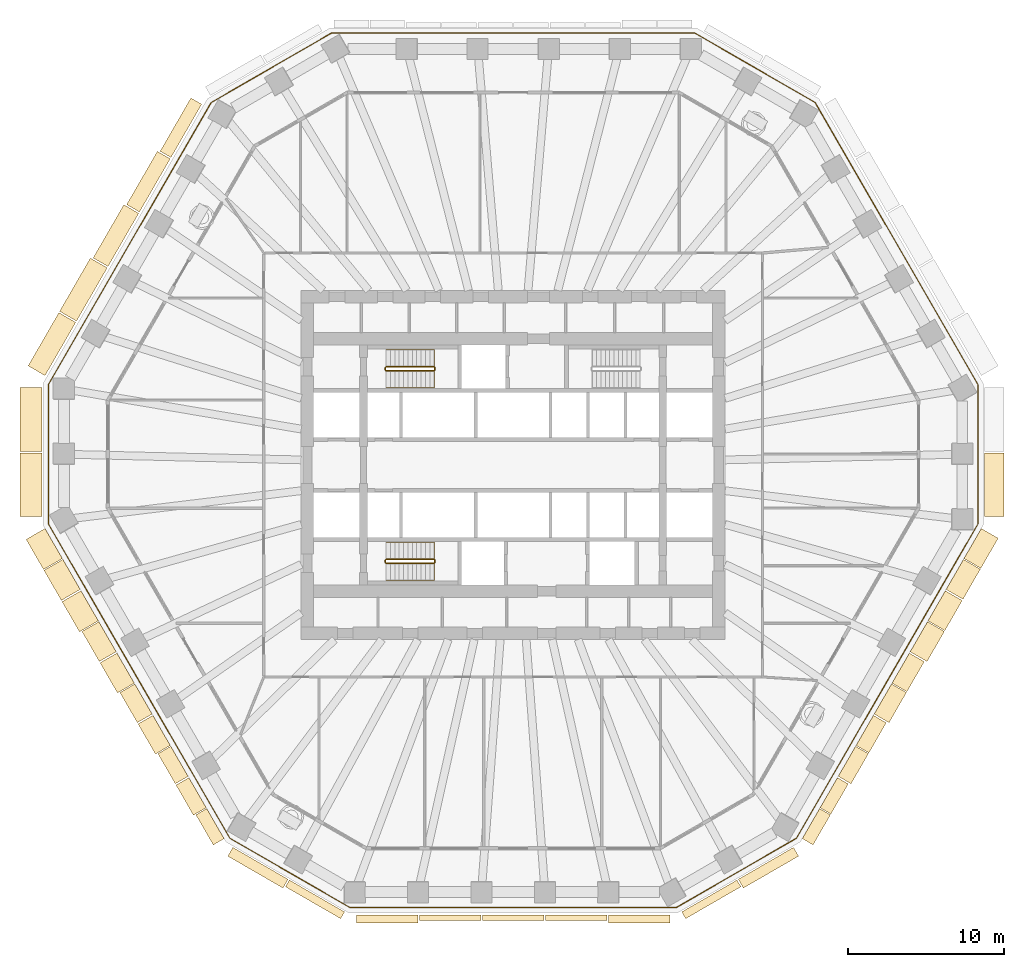
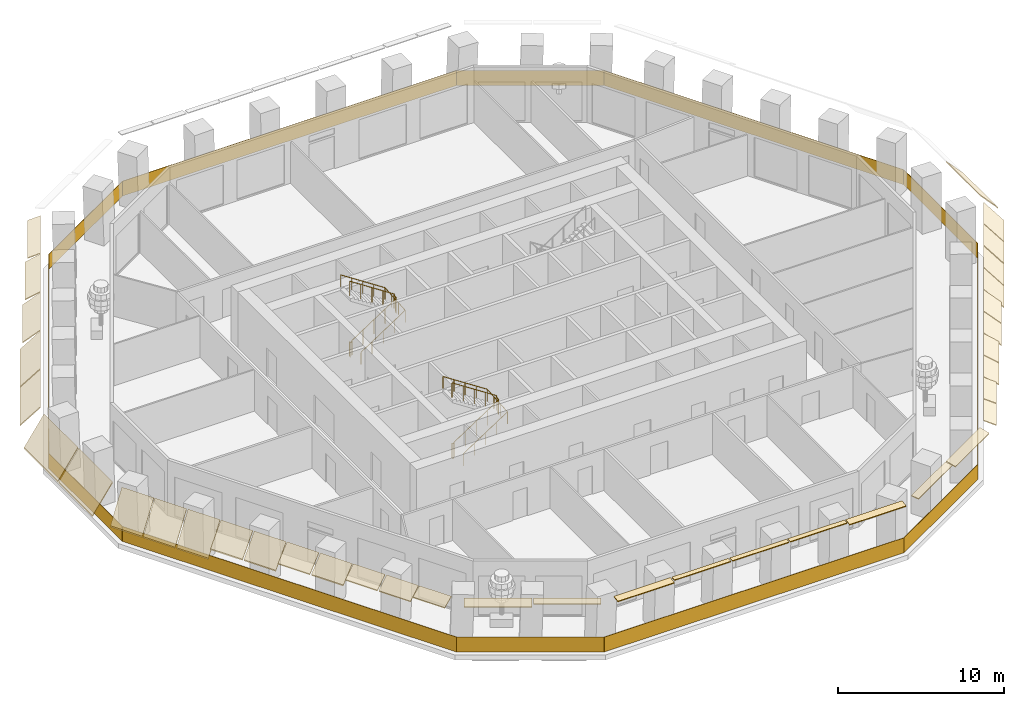
# One storey, part 10 of 13: 37 coverings, 5 railings.
"""IFC4 building model written with IfcOpenShell, lengths in metres."""

from ifc_helpers import new_model, si_unit, direction, frame, origin, origin_2d, place, context, subcontext, project, spatial, polyline, rectangle, circle, outline, extrude, material, layer, layer_set, type_object, element, save


model = new_model("IFC4")

# Units and contexts
model_context = context("Model", 3, precision=1e-05, world=origin(), true_north=direction((0.0, 1.0)))
body_context = subcontext(model_context, "Body", "Model", "MODEL_VIEW")
ifc_project = project(units=[si_unit("LENGTHUNIT", "METRE"), si_unit("AREAUNIT", "SQUARE_METRE"), si_unit("VOLUMEUNIT", "CUBIC_METRE"), si_unit("PLANEANGLEUNIT", "RADIAN"), si_unit("MASSUNIT", "GRAM", prefix="KILO")], contexts=[model_context])

# Site, building, storey
site_placement = place(None, origin())
site = spatial("IfcSite", under=ifc_project, at=site_placement, CompositionType="ELEMENT")
building_placement = place(site_placement, origin())
building = spatial("IfcBuilding", under=site, at=building_placement, Name="Frailejon Research Tower", CompositionType="ELEMENT")
storey_placement = place(building_placement, frame((0.0, 0.0, 102.800048828125)))
storey = spatial("IfcBuildingStorey", under=building, at=storey_placement, Name="L22", CompositionType="ELEMENT", Elevation=102.800048828125)

# Coverings
ifc_material_1 = material(Name="Precast concrete C50/60", Category="concrete")
ifc_layer_1 = layer(ifc_material_1, 0.06005859375)
ifc_layer_set_1 = layer_set([ifc_layer_1], Name="Brim blade depth 1100")
covering_type_1 = type_object("IfcCoveringType", Name="Brim blade depth 1100", PredefinedType="CLADDING", material=ifc_layer_set_1)
covering_1_placement = place(storey_placement, frame((-25.99560546875, 12.733642578125, 4.25), z_axis=(0.500009543026, 0.866019894046, 0.0), x_axis=(-0.866019894046, 0.500009543026, 0.0)))
element("IfcCovering", 1, at=covering_1_placement, inside=storey, type_object=covering_type_1, Name="Brim blade L22", PredefinedType="CLADDING", context=body_context, shape_type="SweptSolid", body=[
    extrude(outline(polyline([(0.0, -0.078369140625), (1.10009765625, -1.001220703125), (1.10009765625, -0.923095703125), (0.0, 0.0), (0.0, -0.078369140625)])), origin(), (0.0, 0.0, 1.0), 3.940185546875),
])
for number, where, z_axis, x_axis, name in (
    (2, (-23.1630859375, -15.97998046875, 4.25), (-0.500007547957, 0.866021045926, 0.0), (-0.866021045926, -0.500007547957, 0.0), "Brim blade L22"),
    (3, (-21.99951171875, -17.995849609375, 4.25), (-0.499998165095, 0.866026463165, 0.0), (-0.866026463165, -0.499998165095, 0.0), "Brim blade L22"),
    (4, (24.277099609375, -14.051025390625, 4.25), (-0.500007547957, -0.866021045926, 0.0), (0.866021045926, -0.500007547957, 0.0), "Brim blade L22"),
    (5, (25.4208984375, -12.06982421875, 4.25), (-0.500007547957, -0.866021045926, 0.0), (0.866021045926, -0.500007547957, 0.0), "Brim blade L22"),
):
    element("IfcCovering", number, at=place(storey_placement, frame(where, z_axis=z_axis, x_axis=x_axis)), inside=storey, type_object=covering_type_1, Name=name, PredefinedType="CLADDING", context=body_context, shape_type="SweptSolid", body=[
        extrude(outline(polyline([(0.0, -0.078369140625), (1.10009765625, -1.001220703125), (1.10009765625, -0.923095703125), (0.0, 0.0), (0.0, -0.078369140625)])), origin(), (0.0, 0.0, 1.0), 2.2275390625),
    ])
ifc_material_2 = material(Name="Precast concrete C50/60", Category="concrete")
ifc_layer_2 = layer(ifc_material_2, 0.06005859375)
ifc_layer_set_2 = layer_set([ifc_layer_2], Name="Brim blade depth 1250")
covering_type_2 = type_object("IfcCoveringType", Name="Brim blade depth 1250", PredefinedType="CLADDING", material=ifc_layer_set_2)
covering_2_placement = place(storey_placement, frame((30.24169921875, 0.77978515625, 4.25), z_axis=(0.0, -1.0, 0.0), x_axis=(1.0, 0.0, 0.0)))
element("IfcCovering", 6, at=covering_2_placement, inside=storey, type_object=covering_type_2, Name="Brim blade L22", PredefinedType="CLADDING", context=body_context, shape_type="SweptSolid", body=[
    extrude(outline(polyline([(0.0, -0.0888671875), (1.25, -1.452880859375), (1.25, -1.364013671875), (0.0, 0.0), (0.0, -0.0888671875)])), origin(), (0.0, 0.0, 1.0), 4.087646484375),
])
covering_3_placement = place(storey_placement, frame((-28.015625, 9.234619140625, 4.25), z_axis=(0.499990979749, 0.866030611566, 0.0), x_axis=(-0.866030611566, 0.499990979749, 0.0)))
element("IfcCovering", 7, at=covering_3_placement, inside=storey, type_object=covering_type_2, Name="Brim blade L22", PredefinedType="CLADDING", context=body_context, shape_type="SweptSolid", body=[
    extrude(outline(polyline([(0.0, -0.0888671875), (1.25, -1.452880859375), (1.25, -1.364013671875), (0.0, 0.0), (0.0, -0.0888671875)])), origin(), (0.0, 0.0, 1.0), 3.940185546875),
])
covering_4_placement = place(storey_placement, frame((-30.035888671875, 5.735595703125, 4.25), z_axis=(0.499998825824, 0.866026081694, 0.0), x_axis=(-0.866026081694, 0.499998825824, 0.0)))
element("IfcCovering", 8, at=covering_4_placement, inside=storey, type_object=covering_type_2, Name="Brim blade L22", PredefinedType="CLADDING", context=body_context, shape_type="SweptSolid", body=[
    extrude(outline(polyline([(0.0, -0.0888671875), (1.25, -1.452880859375), (1.25, -1.364013671875), (0.0, 0.0), (0.0, -0.0888671875)])), origin(), (0.0, 0.0, 1.0), 3.9404296875),
])
for number, where, z_axis, x_axis, name in (
    (9, (-25.470703125, -11.9833984375, 4.25), (-0.499981914212, 0.866035845367, 0.0), (-0.866035845367, -0.499981914212, 0.0), "Brim blade L22"),
    (10, (-24.306884765625, -13.9990234375, 4.25), (-0.500007547957, 0.866021045926, 0.0), (-0.866021045926, -0.500007547957, 0.0), "Brim blade L22"),
    (11, (26.584716796875, -10.05419921875, 4.25), (-0.499981914212, -0.866035845367, 0.0), (0.866035845367, -0.499981914212, 0.0), "Brim blade L22"),
    (12, (27.728271484375, -8.072998046875, 4.25), (-0.499981914212, -0.866035845367, 0.0), (0.866035845367, -0.499981914212, 0.0), "Brim blade L22"),
    (13, (28.89208984375, -6.057373046875, 4.25), (-0.500007547957, -0.866021045926, 0.0), (0.866021045926, -0.500007547957, 0.0), "Brim blade L22"),
    (14, (30.035888671875, -4.076171875, 4.25), (-0.500007547957, -0.866021045926, 0.0), (0.866021045926, -0.500007547957, 0.0), "Brim blade L22"),
):
    element("IfcCovering", number, at=place(storey_placement, frame(where, z_axis=z_axis, x_axis=x_axis)), inside=storey, type_object=covering_type_2, Name=name, PredefinedType="CLADDING", context=body_context, shape_type="SweptSolid", body=[
        extrude(outline(polyline([(0.0, -0.0888671875), (1.25, -1.452880859375), (1.25, -1.364013671875), (0.0, 0.0), (0.0, -0.0888671875)])), origin(), (0.0, 0.0, 1.0), 2.2275390625),
    ])
ifc_material_3 = material(Name="Precast concrete C50/60", Category="concrete")
ifc_layer_3 = layer(ifc_material_3, 0.06005859375)
ifc_layer_set_3 = layer_set([ifc_layer_3], Name="Brim blade depth 1400")
covering_type_3 = type_object("IfcCoveringType", Name="Brim blade depth 1400", PredefinedType="CLADDING", material=ifc_layer_set_3)
covering_5_placement = place(storey_placement, frame((-30.24169921875, 0.879638671875, 4.25), z_axis=(0.0, 1.0, 0.0), x_axis=(-1.0, 0.0, 0.0)))
element("IfcCovering", 15, at=covering_5_placement, inside=storey, type_object=covering_type_3, Name="Brim blade L22", PredefinedType="CLADDING", context=body_context, shape_type="SweptSolid", body=[
    extrude(outline(polyline([(0.0, -0.1044921875), (1.39990234375, -2.10400390625), (1.39990234375, -1.99951171875), (0.0, 0.0), (0.0, -0.1044921875)])), origin(), (0.0, 0.0, 1.0), 4.08740234375),
])
covering_6_placement = place(storey_placement, frame((-30.24169921875, -3.307861328125, 4.25), z_axis=(0.0, 1.0, 0.0), x_axis=(-1.0, 0.0, 0.0)))
element("IfcCovering", 16, at=covering_6_placement, inside=storey, type_object=covering_type_3, Name="Brim blade L22", PredefinedType="CLADDING", context=body_context, shape_type="SweptSolid", body=[
    extrude(outline(polyline([(0.0, -0.1044921875), (1.39990234375, -2.10400390625), (1.39990234375, -1.99951171875), (0.0, 0.0), (0.0, -0.1044921875)])), origin(), (0.0, 0.0, 1.0), 4.087646484375),
])
for number, where, z_axis, x_axis, name in (
    (17, (-28.922119140625, -6.00537109375, 4.25), (-0.500007547957, 0.866021045926, 0.0), (-0.866021045926, -0.500007547957, 0.0), "Brim blade L22"),
    (18, (-27.7783203125, -7.986328125, 4.25), (-0.500007547957, 0.866021045926, 0.0), (-0.866021045926, -0.500007547957, 0.0), "Brim blade L22"),
    (19, (-26.614501953125, -10.002197265625, 4.25), (-0.499981914212, 0.866035845367, 0.0), (-0.866035845367, -0.499981914212, 0.0), "Brim blade L22"),
):
    element("IfcCovering", number, at=place(storey_placement, frame(where, z_axis=z_axis, x_axis=x_axis)), inside=storey, type_object=covering_type_3, Name=name, PredefinedType="CLADDING", context=body_context, shape_type="SweptSolid", body=[
        extrude(outline(polyline([(0.0, -0.1044921875), (1.39990234375, -2.10400390625), (1.39990234375, -1.99951171875), (0.0, 0.0), (0.0, -0.1044921875)])), origin(), (0.0, 0.0, 1.0), 2.2275390625),
    ])
ifc_material_4 = material(Name="Precast concrete C50/60", Category="concrete")
ifc_layer_4 = layer(ifc_material_4, 0.06005859375)
ifc_layer_set_4 = layer_set([ifc_layer_4], Name="Brim blade depth 350")
covering_type_4 = type_object("IfcCoveringType", Name="Brim blade depth 350", PredefinedType="CLADDING", material=ifc_layer_set_4)
covering_7_placement = place(storey_placement, frame((-2.0703125, -28.879638671875, 4.25), z_axis=(-1.0, 0.0, 0.0), x_axis=(0.0, -1.0, 0.0)))
element("IfcCovering", 20, at=covering_7_placement, inside=storey, type_object=covering_type_4, Name="Brim blade L22", PredefinedType="CLADDING", context=body_context, shape_type="SweptSolid", body=[
    extrude(outline(polyline([(0.0, -0.06005859375), (0.35009765625, -0.06005859375), (0.35009765625, 0.0), (0.0, 0.0), (0.0, -0.06005859375)])), origin(), (0.0, 0.0, 1.0), 3.940185546875),
])
covering_8_placement = place(storey_placement, frame((1.97021484375, -28.879638671875, 4.25), z_axis=(-1.0, 0.0, 0.0), x_axis=(0.0, -1.0, 0.0)))
element("IfcCovering", 21, at=covering_8_placement, inside=storey, type_object=covering_type_4, Name="Brim blade L22", PredefinedType="CLADDING", context=body_context, shape_type="SweptSolid", body=[
    extrude(outline(polyline([(0.0, -0.06005859375), (0.35009765625, -0.06005859375), (0.35009765625, 0.0), (0.0, 0.0), (0.0, -0.06005859375)])), origin(), (0.0, 0.0, 1.0), 3.9404296875),
])
covering_9_placement = place(storey_placement, frame((6.010498046875, -28.879638671875, 4.25), z_axis=(-1.0, 0.0, 0.0), x_axis=(0.0, -1.0, 0.0)))
element("IfcCovering", 22, at=covering_9_placement, inside=storey, type_object=covering_type_4, Name="Brim blade L22", PredefinedType="CLADDING", context=body_context, shape_type="SweptSolid", body=[
    extrude(outline(polyline([(0.0, -0.06005859375), (0.35009765625, -0.06005859375), (0.35009765625, 0.0), (0.0, 0.0), (0.0, -0.06005859375)])), origin(), (0.0, 0.0, 1.0), 3.940185546875),
])
ifc_material_5 = material(Name="Precast concrete C50/60", Category="concrete")
ifc_layer_5 = layer(ifc_material_5, 0.06005859375)
ifc_layer_set_5 = layer_set([ifc_layer_5], Name="Brim blade depth 500")
covering_type_5 = type_object("IfcCoveringType", Name="Brim blade depth 500", PredefinedType="CLADDING", material=ifc_layer_set_5)
covering_10_placement = place(storey_placement, frame((-10.819091796875, -28.673828125, 4.25), z_axis=(-0.866021344981, 0.500007029989, 0.0), x_axis=(-0.500007029989, -0.866021344981, 0.0)))
element("IfcCovering", 23, at=covering_10_placement, inside=storey, type_object=covering_type_5, Name="Brim blade L22", PredefinedType="CLADDING", context=body_context, shape_type="SweptSolid", body=[
    extrude(outline(polyline([(0.0, -0.060546875), (0.5, -0.130859375), (0.5, -0.0703125), (0.0, 0.0), (0.0, -0.060546875)])), origin(), (0.0, 0.0, 1.0), 4.08740234375),
])
for number, where, z_axis, x_axis, name in (
    (24, (-6.110595703125, -28.879638671875, 4.25), (-1.0, 0.0, 0.0), (0.0, -1.0, 0.0), "Brim blade L22"),
    (25, (10.05078125, -28.879638671875, 4.25), (-1.0, 0.0, 0.0), (0.0, -1.0, 0.0), "Brim blade L22"),
):
    element("IfcCovering", number, at=place(storey_placement, frame(where, z_axis=z_axis, x_axis=x_axis)), inside=storey, type_object=covering_type_5, Name=name, PredefinedType="CLADDING", context=body_context, shape_type="SweptSolid", body=[
        extrude(outline(polyline([(0.0, -0.060546875), (0.5, -0.130859375), (0.5, -0.0703125), (0.0, 0.0), (0.0, -0.060546875)])), origin(), (0.0, 0.0, 1.0), 3.9404296875),
    ])
covering_11_placement = place(storey_placement, frame((14.359130859375, -26.6298828125, 4.25), z_axis=(-0.866021344981, -0.500007029989, 0.0), x_axis=(0.500007029989, -0.866021344981, 0.0)))
element("IfcCovering", 26, at=covering_11_placement, inside=storey, type_object=covering_type_5, Name="Brim blade L22", PredefinedType="CLADDING", context=body_context, shape_type="SweptSolid", body=[
    extrude(outline(polyline([(0.0, -0.060546875), (0.5, -0.130859375), (0.5, -0.0703125), (0.0, 0.0), (0.0, -0.060546875)])), origin(), (0.0, 0.0, 1.0), 4.08740234375),
])
ifc_material_6 = material(Name="Precast concrete C50/60", Category="concrete")
ifc_layer_6 = layer(ifc_material_6, 0.06005859375)
ifc_layer_set_6 = layer_set([ifc_layer_6], Name="Brim blade depth 650")
covering_type_6 = type_object("IfcCoveringType", Name="Brim blade depth 650", PredefinedType="CLADDING", material=ifc_layer_set_6)
for number, where, z_axis, x_axis, name in (
    (27, (-14.44580078125, -26.580078125, 4.25), (-0.866021344981, 0.500007029989, 0.0), (-0.500007029989, -0.866021344981, 0.0), "Brim blade L22"),
    (28, (17.985595703125, -24.5361328125, 4.25), (-0.866021344981, -0.500007029989, 0.0), (0.500007029989, -0.866021344981, 0.0), "Brim blade L22"),
):
    element("IfcCovering", number, at=place(storey_placement, frame(where, z_axis=z_axis, x_axis=x_axis)), inside=storey, type_object=covering_type_6, Name=name, PredefinedType="CLADDING", context=body_context, shape_type="SweptSolid", body=[
        extrude(outline(polyline([(0.0, -0.0625), (0.64990234375, -0.248779296875), (0.64990234375, -0.186279296875), (0.0, 0.0), (0.0, -0.0625)])), origin(), (0.0, 0.0, 1.0), 4.08740234375),
    ])
ifc_material_7 = material(Name="Precast concrete C50/60", Category="concrete")
ifc_layer_7 = layer(ifc_material_7, 0.06005859375)
ifc_layer_set_7 = layer_set([ifc_layer_7], Name="Brim blade depth 800")
covering_type_7 = type_object("IfcCoveringType", Name="Brim blade depth 800", PredefinedType="CLADDING", material=ifc_layer_set_7)
covering_12_placement = place(storey_placement, frame((-21.955078125, 19.731689453125, 4.25), z_axis=(0.500009543026, 0.866019894046, 0.0), x_axis=(-0.866019894046, 0.500009543026, 0.0)))
element("IfcCovering", 29, at=covering_12_placement, inside=storey, type_object=covering_type_7, Name="Brim blade L22", PredefinedType="CLADDING", context=body_context, shape_type="SweptSolid", body=[
    extrude(outline(polyline([(0.0, -0.065673828125), (0.800048828125, -0.421875), (0.800048828125, -0.356201171875), (0.0, 0.0), (0.0, -0.065673828125)])), origin(), (0.0, 0.0, 1.0), 3.940185546875),
])
for number, where, z_axis, x_axis, name in (
    (30, (-18.548095703125, -23.973876953125, 4.25), (-0.500007547957, 0.866021045926, 0.0), (-0.866021045926, -0.500007547957, 0.0), "Brim blade L22"),
    (31, (19.661865234375, -22.044677734375, 4.25), (-0.500007547957, -0.866021045926, 0.0), (0.866021045926, -0.500007547957, 0.0), "Brim blade L22"),
    (32, (20.8056640625, -20.063720703125, 4.25), (-0.500007547957, -0.866021045926, 0.0), (0.866021045926, -0.500007547957, 0.0), "Brim blade L22"),
):
    element("IfcCovering", number, at=place(storey_placement, frame(where, z_axis=z_axis, x_axis=x_axis)), inside=storey, type_object=covering_type_7, Name=name, PredefinedType="CLADDING", context=body_context, shape_type="SweptSolid", body=[
        extrude(outline(polyline([(0.0, -0.065673828125), (0.800048828125, -0.421875), (0.800048828125, -0.356201171875), (0.0, 0.0), (0.0, -0.065673828125)])), origin(), (0.0, 0.0, 1.0), 2.2275390625),
    ])
ifc_material_8 = material(Name="Precast concrete C50/60", Category="concrete")
ifc_layer_8 = layer(ifc_material_8, 0.06005859375)
ifc_layer_set_8 = layer_set([ifc_layer_8], Name="Brim blade depth 950")
covering_type_8 = type_object("IfcCoveringType", Name="Brim blade depth 950", PredefinedType="CLADDING", material=ifc_layer_set_8)
covering_13_placement = place(storey_placement, frame((-23.975341796875, 16.232666015625, 4.25), z_axis=(0.499998825824, 0.866026081694, 0.0), x_axis=(-0.866026081694, 0.499998825824, 0.0)))
element("IfcCovering", 33, at=covering_13_placement, inside=storey, type_object=covering_type_8, Name="Brim blade L22", PredefinedType="CLADDING", context=body_context, shape_type="SweptSolid", body=[
    extrude(outline(polyline([(0.0, -0.07080078125), (0.949951171875, -0.664306640625), (0.949951171875, -0.593505859375), (0.0, 0.0), (0.0, -0.07080078125)])), origin(), (0.0, 0.0, 1.0), 3.9404296875),
])
for number, where, z_axis, x_axis, name in (
    (34, (-20.855712890625, -19.97705078125, 4.25), (-0.499998165095, 0.866026463165, 0.0), (-0.866026463165, -0.499998165095, 0.0), "Brim blade L22"),
    (35, (-19.69189453125, -21.99267578125, 4.25), (-0.500007547957, 0.866021045926, 0.0), (-0.866021045926, -0.500007547957, 0.0), "Brim blade L22"),
    (36, (21.969482421875, -18.0478515625, 4.25), (-0.499998165095, -0.866026463165, 0.0), (0.866026463165, -0.499998165095, 0.0), "Brim blade L22"),
    (37, (23.11328125, -16.066650390625, 4.25), (-0.499998165095, -0.866026463165, 0.0), (0.866026463165, -0.499998165095, 0.0), "Brim blade L22"),
):
    element("IfcCovering", number, at=place(storey_placement, frame(where, z_axis=z_axis, x_axis=x_axis)), inside=storey, type_object=covering_type_8, Name=name, PredefinedType="CLADDING", context=body_context, shape_type="SweptSolid", body=[
        extrude(outline(polyline([(0.0, -0.07080078125), (0.949951171875, -0.664306640625), (0.949951171875, -0.593505859375), (0.0, 0.0), (0.0, -0.07080078125)])), origin(), (0.0, 0.0, 1.0), 2.2275390625),
    ])

# Railings
ifc_material_9 = material(Name="Laminated glass balustrade", Category="glass")
railing_type_1 = type_object("IfcRailingType", Name="Glass guard 1100", PredefinedType="GUARDRAIL", material=ifc_material_9)
railing_1_placement = place(storey_placement, frame((29.82666015625, -3.76806640625, 0.0)))
element("IfcRailing", 38, at=railing_1_placement, inside=storey, type_object=railing_type_1, Name="Loggia guard L22", PredefinedType="GUARDRAIL", context=body_context, shape_type="SweptSolid", body=[
    extrude(rectangle(XDim=8.9189453125, YDim=0.030029296875, at=origin_2d()), frame((0.0, 4.45947265625, 0.0), z_axis=(0.0, 0.0, 1.0), x_axis=(0.0, 1.0, 0.0)), (0.0, 0.0, 1.0), 1.10009765625),
    extrude(rectangle(XDim=20.9052734375, YDim=0.030029296875, at=origin_2d()), frame((-5.226318359375, 17.97119140625, 0.0), z_axis=(0.0, 0.0, 1.0), x_axis=(-0.500000117701, 0.86602533583, 0.0)), (0.0, 0.0, 1.0), 1.10009765625),
    extrude(rectangle(XDim=8.918701171875, YDim=0.030029296875, at=origin_2d()), frame((-14.314453125, 29.2529296875, 0.0), z_axis=(0.0, 0.0, 1.0), x_axis=(-0.866032876802, 0.49998705613, 0.0)), (0.0, 0.0, 1.0), 1.10009765625),
    extrude(rectangle(XDim=23.30029296875, YDim=0.030029296875, at=origin_2d()), frame((-29.82666015625, 31.482666015625, 0.0), z_axis=(0.0, 0.0, 1.0), x_axis=(-1.0, 0.0, 0.0)), (0.0, 0.0, 1.0), 1.10009765625),
    extrude(rectangle(XDim=8.918701171875, YDim=0.030029296875, at=origin_2d()), frame((-45.3388671875, 29.2529296875, 0.0), z_axis=(0.0, 0.0, 1.0), x_axis=(-0.866032876802, -0.49998705613, 0.0)), (0.0, 0.0, 1.0), 1.10009765625),
    extrude(rectangle(XDim=20.9052734375, YDim=0.030029296875, at=origin_2d()), frame((-54.427001953125, 17.97119140625, 0.0), z_axis=(0.0, 0.0, 1.0), x_axis=(-0.500000117701, -0.86602533583, 0.0)), (0.0, 0.0, 1.0), 1.10009765625),
    extrude(rectangle(XDim=8.9189453125, YDim=0.030029296875, at=origin_2d()), frame((-59.6533203125, 4.45947265625, 0.0), z_axis=(0.0, 0.0, 1.0), x_axis=(0.0, -1.0, 0.0)), (0.0, 0.0, 1.0), 1.10009765625),
    extrude(rectangle(XDim=23.300048828125, YDim=0.030029296875, at=origin_2d()), frame((-53.828125, -10.08935546875, 0.0), z_axis=(0.0, 0.0, 1.0), x_axis=(0.50000332339, -0.866023485016, 0.0)), (0.0, 0.0, 1.0), 1.10009765625),
    extrude(rectangle(XDim=8.918701171875, YDim=0.030029296875, at=origin_2d()), frame((-44.14111328125, -22.408203125, 0.0), z_axis=(0.0, 0.0, 1.0), x_axis=(0.866021023613, -0.500007586602, 0.0)), (0.0, 0.0, 1.0), 1.10009765625),
    extrude(rectangle(XDim=20.9052734375, YDim=0.030029296875, at=origin_2d()), frame((-29.82666015625, -24.637939453125, 0.0), z_axis=(0.0, 0.0, 1.0), x_axis=(1.0, 0.0, 0.0)), (0.0, 0.0, 1.0), 1.10009765625),
    extrude(rectangle(XDim=8.918701171875, YDim=0.030029296875, at=origin_2d()), frame((-15.51220703125, -22.408203125, 0.0), z_axis=(0.0, 0.0, 1.0), x_axis=(0.866021023613, 0.500007586602, 0.0)), (0.0, 0.0, 1.0), 1.10009765625),
    extrude(rectangle(XDim=23.230224609375, YDim=0.030029296875, at=origin_2d()), frame((-5.842529296875, -10.11962890625, 0.0), z_axis=(0.0, 0.0, 1.0), x_axis=(0.500004774777, 0.866022647048, 0.0)), (0.0, 0.0, 1.0), 1.10009765625),
])
ifc_material_10 = material(Name="Stainless steel", Category="steel")
railing_type_2 = type_object("IfcRailingType", Name="Stair guard 1100", PredefinedType="GUARDRAIL", material=ifc_material_10)
railing_2_placement = place(storey_placement, frame((-8.199951171875, 6.25, 0.0)))
element("IfcRailing", 39, at=railing_2_placement, inside=storey, type_object=railing_type_2, Name="L22 ST1 stair guard 1", PredefinedType="GUARDRAIL", context=body_context, shape_type="SweptSolid", body=[
    extrude(circle(Radius=0.02392578125, at=origin_2d()), frame((0.0, 0.0, 1.076171875), z_axis=(0.0, -1.0, 0.0), x_axis=(1.0, 0.0, 0.0)), (0.0, 0.0, 1.0), 0.14990234375),
    extrude(circle(Radius=0.02392578125, at=origin_2d()), frame((0.0, -0.14990234375, 1.076171875), z_axis=(0.254653276557, -0.254653276557, 0.932900539971), x_axis=(0.707106781187, 0.707106781187, 0.0)), (0.0, 0.0, 1.0), 0.196533203125),
    extrude(circle(Radius=0.02392578125, at=origin_2d()), frame((0.050048828125, -0.199951171875, 1.25927734375), z_axis=(0.836613101238, 0.0, 0.547794230379), x_axis=(0.0, 1.0, 0.0)), (0.0, 0.0, 1.0), 3.681396484375),
    extrude(circle(Radius=0.02392578125, at=origin_2d()), frame((3.1298828125, -0.199951171875, 3.27587890625), z_axis=(0.707106781187, 0.707106781187, 0.0), x_axis=(-0.707106781187, 0.707106781187, 0.0)), (0.0, 0.0, 1.0), 0.07080078125),
    extrude(circle(Radius=0.02392578125, at=origin_2d()), frame((3.179931640625, -0.14990234375, 3.27587890625), z_axis=(0.0, 1.0, 0.0), x_axis=(-1.0, 0.0, 0.0)), (0.0, 0.0, 1.0), 0.14990234375),
    extrude(circle(Radius=0.02392578125, at=origin_2d()), frame((3.179931640625, 0.0, 3.27587890625), z_axis=(-0.254653276557, 0.254653276557, 0.932900539971), x_axis=(-0.707106781187, -0.707106781187, 0.0)), (0.0, 0.0, 1.0), 0.196533203125),
    extrude(circle(Radius=0.02392578125, at=origin_2d()), frame((3.1298828125, 0.050048828125, 3.45947265625), z_axis=(-0.836613101238, 0.0, 0.547794230379), x_axis=(0.0, -1.0, 0.0)), (0.0, 0.0, 1.0), 3.681396484375),
    extrude(circle(Radius=0.02099609375, at=origin_2d()), origin(), (0.0, 0.0, 1.0), 1.052001953125),
    extrude(circle(Radius=0.02099609375, at=origin_2d()), frame((0.0, -0.14990234375, 0.0)), (0.0, 0.0, 1.0), 1.052001953125),
    extrude(circle(Radius=0.02099609375, at=origin_2d()), frame((0.050048828125, -0.199951171875, 0.183349609375)), (0.0, 0.0, 1.0), 1.052001953125),
    extrude(circle(Radius=0.02099609375, at=origin_2d()), frame((0.820068359375, -0.199951171875, 0.6875)), (0.0, 0.0, 1.0), 1.052001953125),
    extrude(circle(Radius=0.02099609375, at=origin_2d()), frame((1.58984375, -0.199951171875, 1.191650390625)), (0.0, 0.0, 1.0), 1.052001953125),
    extrude(circle(Radius=0.02099609375, at=origin_2d()), frame((2.35986328125, -0.199951171875, 1.69580078125)), (0.0, 0.0, 1.0), 1.052001953125),
    extrude(circle(Radius=0.02099609375, at=origin_2d()), frame((3.1298828125, -0.199951171875, 2.199951171875)), (0.0, 0.0, 1.0), 1.052001953125),
    extrude(circle(Radius=0.02099609375, at=origin_2d()), frame((3.179931640625, -0.14990234375, 2.199951171875)), (0.0, 0.0, 1.0), 1.052001953125),
    extrude(circle(Radius=0.02099609375, at=origin_2d()), frame((3.179931640625, 0.0, 2.199951171875)), (0.0, 0.0, 1.0), 1.052001953125),
    extrude(circle(Radius=0.02099609375, at=origin_2d()), frame((3.1298828125, 0.050048828125, 2.38330078125)), (0.0, 0.0, 1.0), 1.052001953125),
    extrude(circle(Radius=0.02099609375, at=origin_2d()), frame((2.35986328125, 0.050048828125, 2.887451171875)), (0.0, 0.0, 1.0), 1.052001953125),
    extrude(circle(Radius=0.02099609375, at=origin_2d()), frame((1.58984375, 0.050048828125, 3.3916015625)), (0.0, 0.0, 1.0), 1.052001953125),
    extrude(circle(Radius=0.02099609375, at=origin_2d()), frame((0.820068359375, 0.050048828125, 3.895751953125)), (0.0, 0.0, 1.0), 1.052001953125),
    extrude(circle(Radius=0.02099609375, at=origin_2d()), frame((0.050048828125, 0.050048828125, 4.39990234375)), (0.0, 0.0, 1.0), 1.052001953125),
])
railing_3_placement = place(storey_placement, frame((-8.199951171875, -6.10009765625, 0.0)))
element("IfcRailing", 40, at=railing_3_placement, inside=storey, type_object=railing_type_2, Name="L22 ST2 stair guard 1", PredefinedType="GUARDRAIL", context=body_context, shape_type="SweptSolid", body=[
    extrude(circle(Radius=0.02392578125, at=origin_2d()), frame((0.0, 0.0, 1.076171875), z_axis=(0.0, -1.0, 0.0), x_axis=(1.0, 0.0, 0.0)), (0.0, 0.0, 1.0), 0.14990234375),
    extrude(circle(Radius=0.02392578125, at=origin_2d()), frame((0.0, -0.14990234375, 1.076171875), z_axis=(0.254653276557, -0.254653276557, 0.932900539971), x_axis=(0.707106781187, 0.707106781187, 0.0)), (0.0, 0.0, 1.0), 0.196533203125),
    extrude(circle(Radius=0.02392578125, at=origin_2d()), frame((0.050048828125, -0.199951171875, 1.25927734375), z_axis=(0.836613101238, 0.0, 0.547794230379), x_axis=(0.0, 1.0, 0.0)), (0.0, 0.0, 1.0), 3.681396484375),
    extrude(circle(Radius=0.02392578125, at=origin_2d()), frame((3.1298828125, -0.199951171875, 3.27587890625), z_axis=(0.707106781187, 0.707106781187, 0.0), x_axis=(-0.707106781187, 0.707106781187, 0.0)), (0.0, 0.0, 1.0), 0.07080078125),
    extrude(circle(Radius=0.02392578125, at=origin_2d()), frame((3.179931640625, -0.14990234375, 3.27587890625), z_axis=(0.0, 1.0, 0.0), x_axis=(-1.0, 0.0, 0.0)), (0.0, 0.0, 1.0), 0.14990234375),
    extrude(circle(Radius=0.02392578125, at=origin_2d()), frame((3.179931640625, 0.0, 3.27587890625), z_axis=(-0.254653276557, 0.254653276557, 0.932900539971), x_axis=(-0.707106781187, -0.707106781187, 0.0)), (0.0, 0.0, 1.0), 0.196533203125),
    extrude(circle(Radius=0.02392578125, at=origin_2d()), frame((3.1298828125, 0.050048828125, 3.45947265625), z_axis=(-0.836613101238, 0.0, 0.547794230379), x_axis=(0.0, -1.0, 0.0)), (0.0, 0.0, 1.0), 3.681396484375),
    extrude(circle(Radius=0.02099609375, at=origin_2d()), origin(), (0.0, 0.0, 1.0), 1.052001953125),
    extrude(circle(Radius=0.02099609375, at=origin_2d()), frame((0.0, -0.14990234375, 0.0)), (0.0, 0.0, 1.0), 1.052001953125),
    extrude(circle(Radius=0.02099609375, at=origin_2d()), frame((0.050048828125, -0.199951171875, 0.183349609375)), (0.0, 0.0, 1.0), 1.052001953125),
    extrude(circle(Radius=0.02099609375, at=origin_2d()), frame((0.820068359375, -0.199951171875, 0.6875)), (0.0, 0.0, 1.0), 1.052001953125),
    extrude(circle(Radius=0.02099609375, at=origin_2d()), frame((1.58984375, -0.199951171875, 1.191650390625)), (0.0, 0.0, 1.0), 1.052001953125),
    extrude(circle(Radius=0.02099609375, at=origin_2d()), frame((2.35986328125, -0.199951171875, 1.69580078125)), (0.0, 0.0, 1.0), 1.052001953125),
    extrude(circle(Radius=0.02099609375, at=origin_2d()), frame((3.1298828125, -0.199951171875, 2.199951171875)), (0.0, 0.0, 1.0), 1.052001953125),
    extrude(circle(Radius=0.02099609375, at=origin_2d()), frame((3.179931640625, -0.14990234375, 2.199951171875)), (0.0, 0.0, 1.0), 1.052001953125),
    extrude(circle(Radius=0.02099609375, at=origin_2d()), frame((3.179931640625, 0.0, 2.199951171875)), (0.0, 0.0, 1.0), 1.052001953125),
    extrude(circle(Radius=0.02099609375, at=origin_2d()), frame((3.1298828125, 0.050048828125, 2.38330078125)), (0.0, 0.0, 1.0), 1.052001953125),
    extrude(circle(Radius=0.02099609375, at=origin_2d()), frame((2.35986328125, 0.050048828125, 2.887451171875)), (0.0, 0.0, 1.0), 1.052001953125),
    extrude(circle(Radius=0.02099609375, at=origin_2d()), frame((1.58984375, 0.050048828125, 3.3916015625)), (0.0, 0.0, 1.0), 1.052001953125),
    extrude(circle(Radius=0.02099609375, at=origin_2d()), frame((0.820068359375, 0.050048828125, 3.895751953125)), (0.0, 0.0, 1.0), 1.052001953125),
    extrude(circle(Radius=0.02099609375, at=origin_2d()), frame((0.050048828125, 0.050048828125, 4.39990234375)), (0.0, 0.0, 1.0), 1.052001953125),
])
ifc_material_11 = material(Name="Stainless steel", Category="steel")
railing_type_3 = type_object("IfcRailingType", Name="Stair handrail 900", PredefinedType="HANDRAIL", material=ifc_material_11)
railing_4_placement = place(storey_placement, frame((-8.14990234375, 4.949951171875, 0.183349609375)))
element("IfcRailing", 41, at=railing_4_placement, inside=storey, type_object=railing_type_3, Name="L22 ST1 stair handrail 1", PredefinedType="HANDRAIL", context=body_context, shape_type="SweptSolid", body=[
    extrude(circle(Radius=0.02392578125, at=origin_2d()), frame((0.0, 0.0, 0.8759765625), z_axis=(0.836613101238, 0.0, 0.547794230379), x_axis=(0.0, 1.0, 0.0)), (0.0, 0.0, 1.0), 3.681396484375),
    extrude(circle(Radius=0.02392578125, at=origin_2d()), frame((3.079833984375, 0.0, 2.892578125), z_axis=(0.0, 0.99721134034, 0.074629368868), x_axis=(-1.0, 0.0, 0.0)), (0.0, 0.0, 1.0), 2.456787109375),
    extrude(circle(Radius=0.02392578125, at=origin_2d()), frame((3.079833984375, 2.449951171875, 3.07568359375), z_axis=(-0.836613101238, 0.0, 0.547794230379), x_axis=(0.0, -1.0, 0.0)), (0.0, 0.0, 1.0), 3.681396484375),
    extrude(circle(Radius=0.02099609375, at=origin_2d()), origin(), (0.0, 0.0, 1.0), 0.851806640625),
    extrude(circle(Radius=0.02099609375, at=origin_2d()), frame((0.77001953125, 0.0, 0.504150390625)), (0.0, 0.0, 1.0), 0.851806640625),
    extrude(circle(Radius=0.02099609375, at=origin_2d()), frame((1.5400390625, 0.0, 1.00830078125)), (0.0, 0.0, 1.0), 0.851806640625),
    extrude(circle(Radius=0.02099609375, at=origin_2d()), frame((2.309814453125, 0.0, 1.512451171875)), (0.0, 0.0, 1.0), 0.851806640625),
    extrude(circle(Radius=0.02099609375, at=origin_2d()), frame((3.079833984375, 0.0, 2.0166015625)), (0.0, 0.0, 1.0), 0.851806640625),
    extrude(circle(Radius=0.02099609375, at=origin_2d()), frame((3.079833984375, 0.816650390625, 2.07763671875)), (0.0, 0.0, 1.0), 0.851806640625),
    extrude(circle(Radius=0.02099609375, at=origin_2d()), frame((3.079833984375, 1.63330078125, 2.138916015625)), (0.0, 0.0, 1.0), 0.851806640625),
    extrude(circle(Radius=0.02099609375, at=origin_2d()), frame((3.079833984375, 2.449951171875, 2.199951171875)), (0.0, 0.0, 1.0), 0.851806640625),
    extrude(circle(Radius=0.02099609375, at=origin_2d()), frame((2.309814453125, 2.449951171875, 2.7041015625)), (0.0, 0.0, 1.0), 0.851806640625),
    extrude(circle(Radius=0.02099609375, at=origin_2d()), frame((1.5400390625, 2.449951171875, 3.208251953125)), (0.0, 0.0, 1.0), 0.851806640625),
    extrude(circle(Radius=0.02099609375, at=origin_2d()), frame((0.77001953125, 2.449951171875, 3.71240234375)), (0.0, 0.0, 1.0), 0.851806640625),
    extrude(circle(Radius=0.02099609375, at=origin_2d()), frame((0.0, 2.449951171875, 4.216552734375)), (0.0, 0.0, 1.0), 0.851806640625),
])
railing_5_placement = place(storey_placement, frame((-8.14990234375, -7.39990234375, 0.183349609375)))
element("IfcRailing", 42, at=railing_5_placement, inside=storey, type_object=railing_type_3, Name="L22 ST2 stair handrail 1", PredefinedType="HANDRAIL", context=body_context, shape_type="SweptSolid", body=[
    extrude(circle(Radius=0.02392578125, at=origin_2d()), frame((0.0, 0.0, 0.8759765625), z_axis=(0.836613101238, 0.0, 0.547794230379), x_axis=(0.0, 1.0, 0.0)), (0.0, 0.0, 1.0), 3.681396484375),
    extrude(circle(Radius=0.02392578125, at=origin_2d()), frame((3.079833984375, 0.0, 2.892578125), z_axis=(0.0, 0.99721134034, 0.074629368868), x_axis=(-1.0, 0.0, 0.0)), (0.0, 0.0, 1.0), 2.456787109375),
    extrude(circle(Radius=0.02392578125, at=origin_2d()), frame((3.079833984375, 2.449951171875, 3.07568359375), z_axis=(-0.836613101238, 0.0, 0.547794230379), x_axis=(0.0, -1.0, 0.0)), (0.0, 0.0, 1.0), 3.681396484375),
    extrude(circle(Radius=0.02099609375, at=origin_2d()), origin(), (0.0, 0.0, 1.0), 0.851806640625),
    extrude(circle(Radius=0.02099609375, at=origin_2d()), frame((0.77001953125, 0.0, 0.504150390625)), (0.0, 0.0, 1.0), 0.851806640625),
    extrude(circle(Radius=0.02099609375, at=origin_2d()), frame((1.5400390625, 0.0, 1.00830078125)), (0.0, 0.0, 1.0), 0.851806640625),
    extrude(circle(Radius=0.02099609375, at=origin_2d()), frame((2.309814453125, 0.0, 1.512451171875)), (0.0, 0.0, 1.0), 0.851806640625),
    extrude(circle(Radius=0.02099609375, at=origin_2d()), frame((3.079833984375, 0.0, 2.0166015625)), (0.0, 0.0, 1.0), 0.851806640625),
    extrude(circle(Radius=0.02099609375, at=origin_2d()), frame((3.079833984375, 0.816650390625, 2.07763671875)), (0.0, 0.0, 1.0), 0.851806640625),
    extrude(circle(Radius=0.02099609375, at=origin_2d()), frame((3.079833984375, 1.63330078125, 2.138916015625)), (0.0, 0.0, 1.0), 0.851806640625),
    extrude(circle(Radius=0.02099609375, at=origin_2d()), frame((3.079833984375, 2.449951171875, 2.199951171875)), (0.0, 0.0, 1.0), 0.851806640625),
    extrude(circle(Radius=0.02099609375, at=origin_2d()), frame((2.309814453125, 2.449951171875, 2.7041015625)), (0.0, 0.0, 1.0), 0.851806640625),
    extrude(circle(Radius=0.02099609375, at=origin_2d()), frame((1.5400390625, 2.449951171875, 3.208251953125)), (0.0, 0.0, 1.0), 0.851806640625),
    extrude(circle(Radius=0.02099609375, at=origin_2d()), frame((0.77001953125, 2.449951171875, 3.71240234375)), (0.0, 0.0, 1.0), 0.851806640625),
    extrude(circle(Radius=0.02099609375, at=origin_2d()), frame((0.0, 2.449951171875, 4.216552734375)), (0.0, 0.0, 1.0), 0.851806640625),
])

save(model, "model.ifc")
